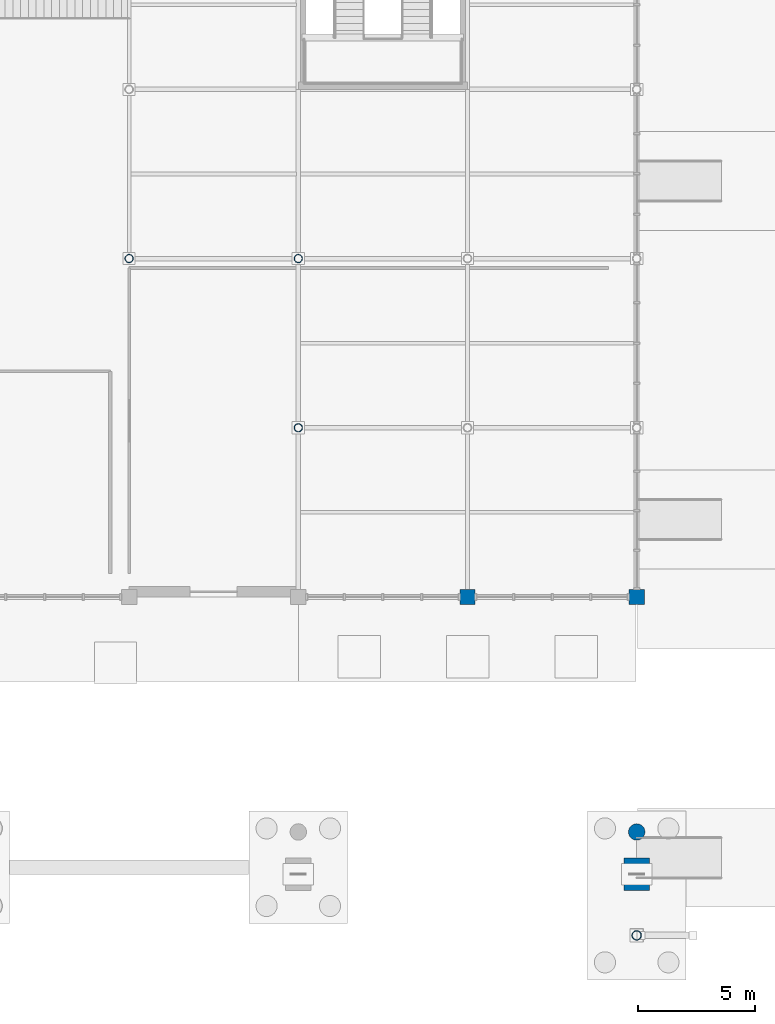
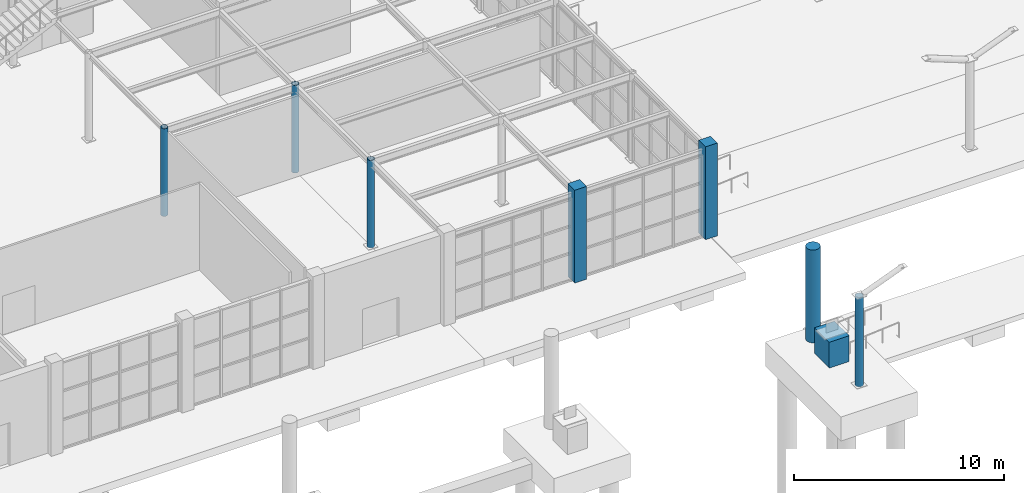
# One storey, part 10 of 75: 8 columns.
"""IFC4 building model written with IfcOpenShell, lengths in metres."""

from ifc_helpers import new_model, si_unit, direction, frame, origin, origin_2d, place, context, subcontext, project, spatial, rectangle, circle, hollow_circle, extrude, material, material_profile, profile_set, type_object, element, save


model = new_model("IFC4")

# Units and contexts
model_context = context("Model", 3, precision=1e-05, world=origin(), true_north=direction((0.0, 1.0)))
body_context = subcontext(model_context, "Body", "Model", "MODEL_VIEW")
ifc_project = project(units=[si_unit("LENGTHUNIT", "METRE"), si_unit("AREAUNIT", "SQUARE_METRE"), si_unit("VOLUMEUNIT", "CUBIC_METRE"), si_unit("PLANEANGLEUNIT", "RADIAN"), si_unit("MASSUNIT", "GRAM", prefix="KILO")], contexts=[model_context])

# Site, building, storey
site_placement = place(None, origin())
site = spatial("IfcSite", under=ifc_project, at=site_placement, CompositionType="ELEMENT")
building_placement = place(site_placement, origin())
building = spatial("IfcBuilding", under=site, at=building_placement, Name="Leyfeld Transit Interchange", CompositionType="ELEMENT")
storey_placement = place(building_placement, origin())
storey = spatial("IfcBuildingStorey", under=building, at=storey_placement, Name="L00", CompositionType="ELEMENT", Elevation=0.0)

# Columns
ifc_material_1 = material(Name="Concrete C40/50", Category="concrete")
ifc_material_profile_1 = material_profile(ifc_material_1, rectangle(XDim=1.10009765625, YDim=1.39990234375, at=origin_2d()), Name="RC 1400x1100")
ifc_profile_set_1 = profile_set([ifc_material_profile_1], Name="Concrete C40/50")
column_type_1 = type_object("IfcColumnType", Name="COL-BUTT-1400", PredefinedType="COLUMN", material=ifc_profile_set_1)
column_1_placement = place(storey_placement, frame((100.800048828125, 2.60009765625, 0.0), z_axis=(0.0, 0.0, 1.0), x_axis=(1.0, 0.0, 0.0)))
element("IfcColumn", 1, at=column_1_placement, inside=storey, type_object=column_type_1, Name="Column COL-L00-1008_0026", PredefinedType="COLUMN", context=body_context, shape_type="SweptSolid", body=[
    extrude(rectangle(XDim=1.10009765625, YDim=1.39990234375, at=origin_2d()), origin(), (0.0, 0.0, 1.0), 1.5),
])
ifc_material_2 = material(Name="Concrete C35/45", Category="concrete")
ifc_material_profile_2 = material_profile(ifc_material_2, rectangle(XDim=0.64990234375, YDim=0.64990234375, at=origin_2d()), Name="RC 650x650")
ifc_profile_set_2 = profile_set([ifc_material_profile_2], Name="Concrete C35/45")
column_type_2 = type_object("IfcColumnType", Name="COL-RC-650", PredefinedType="COLUMN", material=ifc_profile_set_2)
for number, where, z_axis, x_axis, name in (
    (2, (93.60009765625, 14.39990234375, 0.0), (0.0, 0.0, 1.0), (1.0, 0.0, 0.0), "Column COL-L00-0936_0144"),
    (3, (100.800048828125, 14.39990234375, 0.0), (0.0, 0.0, 1.0), (1.0, 0.0, 0.0), "Column COL-L00-1008_0144"),
):
    element("IfcColumn", number, at=place(storey_placement, frame(where, z_axis=z_axis, x_axis=x_axis)), inside=storey, type_object=column_type_2, Name=name, PredefinedType="COLUMN", context=body_context, shape_type="SweptSolid", body=[
        extrude(rectangle(XDim=0.64990234375, YDim=0.64990234375, at=origin_2d()), origin(), (0.0, 0.0, 1.0), 5.39990234375),
    ])
ifc_material_profile_3 = material_profile(ifc_material_2, circle(Radius=0.35009765625, at=origin_2d()), Name="RC D700")
ifc_profile_set_3 = profile_set([ifc_material_profile_3], Name="Concrete C35/45")
column_type_3 = type_object("IfcColumnType", Name="COL-RC-D700", PredefinedType="COLUMN", material=ifc_profile_set_3)
column_2_placement = place(storey_placement, frame((100.800048828125, 4.39990234375, 0.0), z_axis=(0.0, 0.0, 1.0), x_axis=(1.0, 0.0, 0.0)))
element("IfcColumn", 4, at=column_2_placement, inside=storey, type_object=column_type_3, Name="Column COL-L00-1008_0044", PredefinedType="COLUMN", context=body_context, shape_type="SweptSolid", body=[
    extrude(circle(Radius=0.35009765625, at=origin_2d()), origin(), (0.0, 0.0, 1.0), 5.39990234375),
])
ifc_material_3 = material(Name="Steel S355J2", Category="steel")
ifc_material_profile_4 = material_profile(ifc_material_3, hollow_circle(Radius=0.177734375, WallThickness=0.01611328125, at=origin_2d()), Name="CHS 355.6x16")
ifc_profile_set_4 = profile_set([ifc_material_profile_4], Name="Steel S355J2")
column_type_4 = type_object("IfcColumnType", Name="COL-STL-CHS355", PredefinedType="COLUMN", material=ifc_profile_set_4)
for number, where, z_axis, x_axis, name in (
    (5, (79.199951171875, 28.800048828125, 0.0), (0.0, 0.0, 1.0), (1.0, 0.0, 0.0), "Column COL-L00-0792_0288"),
    (6, (86.39990234375, 21.60009765625, 0.0), (0.0, 0.0, 1.0), (1.0, 0.0, 0.0), "Column COL-L00-0864_0216"),
    (7, (86.39990234375, 28.800048828125, 0.0), (0.0, 0.0, 1.0), (1.0, 0.0, 0.0), "Column COL-L00-0864_0288"),
):
    element("IfcColumn", number, at=place(storey_placement, frame(where, z_axis=z_axis, x_axis=x_axis)), inside=storey, type_object=column_type_4, Name=name, PredefinedType="COLUMN", context=body_context, shape_type="SweptSolid", body=[
        extrude(hollow_circle(Radius=0.177734375, WallThickness=0.01611328125, at=origin_2d()), origin(), (0.0, 0.0, 1.0), 5.10009765625),
    ])
ifc_material_profile_5 = material_profile(ifc_material_3, hollow_circle(Radius=0.203125, WallThickness=0.02001953125, at=origin_2d()), Name="CHS 406.4x20")
ifc_profile_set_5 = profile_set([ifc_material_profile_5], Name="Steel S355J2")
column_type_5 = type_object("IfcColumnType", Name="COL-STL-CHS406", PredefinedType="COLUMN", material=ifc_profile_set_5)
column_3_placement = place(storey_placement, frame((100.800048828125, 0.0, 0.0), z_axis=(0.0, 0.0, 1.0), x_axis=(1.0, 0.0, 0.0)))
element("IfcColumn", 8, at=column_3_placement, inside=storey, type_object=column_type_5, Name="Column COL-L00-1008_0000", PredefinedType="COLUMN", context=body_context, shape_type="SweptSolid", body=[
    extrude(hollow_circle(Radius=0.203125, WallThickness=0.02001953125, at=origin_2d()), origin(), (0.0, 0.0, 1.0), 5.199951171875),
])

save(model, "model.ifc")
